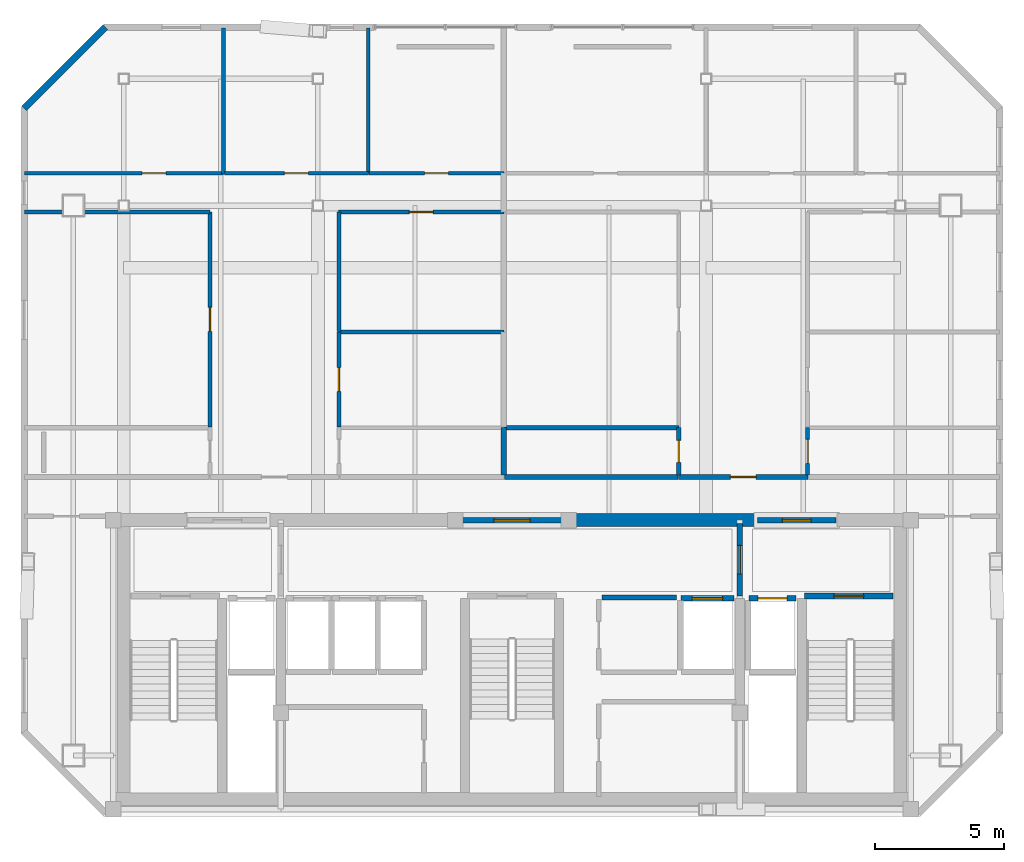
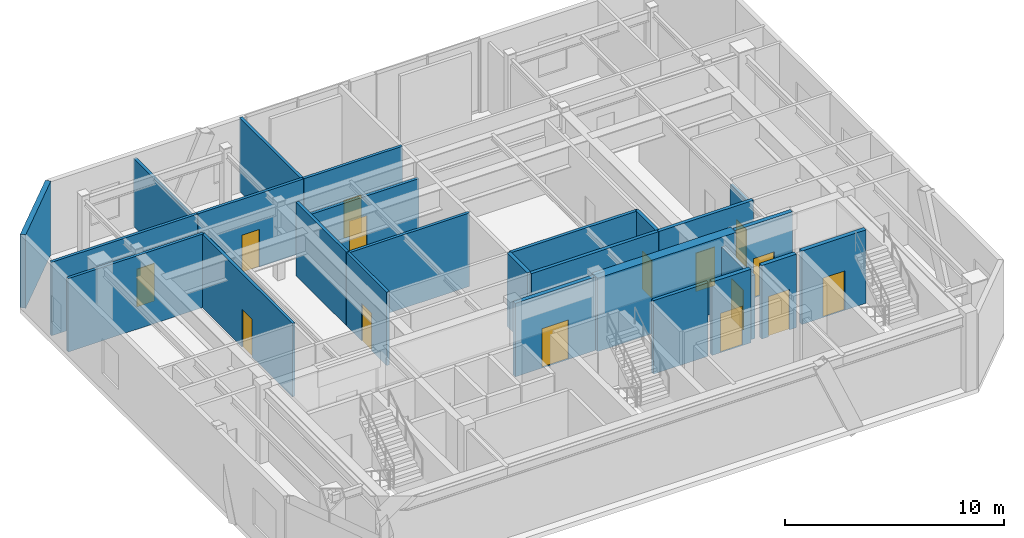
# One storey, part 7 of 10: 26 walls, 15 doors, 15 openings.
"""IFC4 building model written with IfcOpenShell, lengths in metres."""

from ifc_helpers import new_model, si_unit, direction, frame, frame_2d, origin, place, context, subcontext, project, spatial, rectangle, extrude, material, layer, layer_set, type_object, element, fill, save


model = new_model("IFC4")

# Units and contexts
model_context = context("Model", 3, precision=1e-05, world=origin(), true_north=direction((0.0, 1.0)))
body_context = subcontext(model_context, "Body", "Model", "MODEL_VIEW")
ifc_project = project(units=[si_unit("LENGTHUNIT", "METRE"), si_unit("AREAUNIT", "SQUARE_METRE"), si_unit("VOLUMEUNIT", "CUBIC_METRE"), si_unit("PLANEANGLEUNIT", "RADIAN"), si_unit("MASSUNIT", "GRAM", prefix="KILO")], contexts=[model_context])

# Site, building, storey
site_placement = place(None, origin())
site = spatial("IfcSite", under=ifc_project, at=site_placement, CompositionType="ELEMENT")
building_placement = place(site_placement, origin())
building = spatial("IfcBuilding", under=site, at=building_placement, Name="Ventersveld Concourse Tower", CompositionType="ELEMENT")
storey_placement = place(building_placement, frame((0.0, 0.0, 362.25)))
storey = spatial("IfcBuildingStorey", under=building, at=storey_placement, Name="L89", CompositionType="ELEMENT", Elevation=362.25)

# Walls
ifc_material_1 = material(Name="Concrete C50/60", Category="concrete")
ifc_layer_1 = layer(ifc_material_1, 0.5)
ifc_layer_set_1 = layer_set([ifc_layer_1], Name="Concrete C50/60")
wall_type_1 = type_object("IfcWallType", Name="WL-CORE-500", PredefinedType="SHEAR", material=ifc_layer_set_1)
wall_1_placement = place(storey_placement, frame((30.89990234375, 11.449951171875, 0.0), z_axis=(0.0, 0.0, 1.0), x_axis=(1.0, 0.0, 0.0)))
element("IfcWall", 1, at=wall_1_placement, inside=storey, type_object=wall_type_1, Name="L89 Rear Core North Shear Wall NMR", PredefinedType="SHEAR", context=body_context, shape_type="SweptSolid", body=[
    extrude(rectangle(XDim=7.300048828125, YDim=0.5, at=frame_2d((3.64990234375, 0.0))), origin(), (0.0, 0.0, 1.0), 4.10009765625),
])
ifc_material_2 = material(Name="Fire-rated autoclaved aerated masonry blockwork", Category="masonry")
ifc_layer_2 = layer(ifc_material_2, 0.179931640625)
ifc_layer_set_2 = layer_set([ifc_layer_2], Name="Fire-rated autoclaved aerated masonry blockwork")
wall_type_2 = type_object("IfcWallType", Name="WL-CORR-180", PredefinedType="PARTITIONING", material=ifc_layer_set_2)
wall_2_placement = place(storey_placement, frame((32.219970703125, 8.4599609375, 0.0), z_axis=(0.0, 0.0, 1.0), x_axis=(1.0, 0.0, 0.0)))
element("IfcWall", 2, at=wall_2_placement, inside=storey, type_object=wall_type_2, Name="L89 Core Top Wall SP-L89-CBAY1", PredefinedType="PARTITIONING", context=body_context, shape_type="SweptSolid", body=[
    extrude(rectangle(XDim=2.880126953125, YDim=0.179931640625, at=frame_2d((1.43994140625, 0.0))), origin(), (0.0, 0.0, 1.0), 4.10009765625),
])

# Wall, opening, door
wall_3_placement = place(storey_placement, frame((35.187255859375, 13.114990234375, 0.0), z_axis=(0.0, 0.0, 1.0), x_axis=(1.0, 0.0, 0.0)))
wall_3 = element("IfcWall", 3, at=wall_3_placement, inside=storey, type_object=wall_type_2, Name="L89 Interior Partition SP-L89-COR-SP-L89-89N2-LIV", PredefinedType="PARTITIONING", context=body_context, shape_type="SweptSolid", body=[
    extrude(rectangle(XDim=4.989990234375, YDim=0.179931640625, at=frame_2d((2.4951171875, 0.0))), origin(), (0.0, 0.0, 1.0), 4.10009765625),
])
opening_1_placement = place(wall_3_placement, frame((1.9951171875, 0.0, 0.0)))
opening_1 = element("IfcOpeningElement", 4, at=opening_1_placement, cuts=wall_3, Name="Opening FD3", PredefinedType="OPENING", context=body_context, shape_type="SweptSolid", body=[
    extrude(rectangle(XDim=1.0, YDim=2.14990234375, at=frame_2d((0.5, 1.074951171875))), frame((0.0, 0.10009765625, 0.0), z_axis=(0.0, -1.0, 0.0), x_axis=(1.0, 0.0, 0.0)), (0.0, 0.0, 1.0), 0.199951171875),
])
ifc_material_3 = material(Name="Solid-core hardwood veneer timber", Category="wood")
door_type_1 = type_object("IfcDoorType", Name="DR-FLAT-100", OperationType="NOTDEFINED", PredefinedType="DOOR", material=ifc_material_3)
door_1_placement = place(opening_1_placement, origin())
door_1 = element("IfcDoor", 5, at=door_1_placement, inside=storey, type_object=door_type_1, Name="L89 Interior Door SP-L89-COR to SP-L89-89N2-LIV (FD-L89-3942)", OperationType="SINGLE_SWING_RIGHT", OverallHeight=2.14990234375, OverallWidth=1.0, PredefinedType="DOOR", context=body_context, shape_type="SweptSolid", body=[
    extrude(rectangle(XDim=1.0, YDim=2.14990234375, at=frame_2d((0.5, 1.074951171875))), frame((0.0, 0.02490234375, 0.0), z_axis=(0.0, -1.0, 0.0), x_axis=(1.0, 0.0, 0.0)), (0.0, 0.0, 1.0), 0.050048828125),
])
fill(opening_1, door_1)

# Walls
wall_4_placement = place(storey_placement, frame((28.46435546875, 13.114990234375, 0.0), z_axis=(0.0, 0.0, 1.0), x_axis=(1.0, 0.0, 0.0)))
element("IfcWall", 6, at=wall_4_placement, inside=storey, type_object=wall_type_2, Name="L89 Interior Partition SP-L89-COR-SP-L89-89N2-BATH", PredefinedType="PARTITIONING", context=body_context, shape_type="SweptSolid", body=[
    extrude(rectangle(XDim=6.69287109375, YDim=0.179931640625, at=frame_2d((3.346435546875, 0.0))), origin(), (0.0, 0.0, 1.0), 4.10009765625),
])
ifc_layer_3 = layer(ifc_material_2, 0.199951171875)
ifc_layer_set_3 = layer_set([ifc_layer_3], Name="Fire-rated autoclaved aerated masonry blockwork")
wall_type_3 = type_object("IfcWallType", Name="WL-DEMISE-200", PredefinedType="PARTITIONING", material=ifc_layer_set_3)
wall_5_placement = place(storey_placement, frame((28.42919921875, 13.18505859375, 0.0), z_axis=(0.0, 0.0, 1.0), x_axis=(0.0, 1.0, 0.0)))
element("IfcWall", 7, at=wall_5_placement, inside=storey, type_object=wall_type_3, Name="L89 Interior Partition SP-L89-89N1-KIT-SP-L89-89N2-BATH", PredefinedType="PARTITIONING", context=body_context, shape_type="SweptSolid", body=[
    extrude(rectangle(XDim=1.83984375, YDim=0.199951171875, at=frame_2d((0.919921875, 0.0))), origin(), (0.0, 0.0, 1.0), 4.10009765625),
])

# Wall, opening, door
ifc_layer_4 = layer(ifc_material_2, 0.219970703125)
ifc_layer_set_4 = layer_set([ifc_layer_4], Name="Fire-rated autoclaved aerated masonry blockwork")
wall_type_4 = type_object("IfcWallType", Name="WL-HOIST-220", PredefinedType="SOLIDWALL", material=ifc_layer_set_4)
wall_6_placement = place(storey_placement, frame((37.89990234375, 8.429931640625, 0.0), z_axis=(0.0, 0.0, 1.0), x_axis=(1.0, 0.0, 0.0)))
wall_6 = element("IfcWall", 8, at=wall_6_placement, inside=storey, type_object=wall_type_4, Name="L89 Lift Hoistway Front Wall FFL-02", PredefinedType="SOLIDWALL", context=body_context, shape_type="SweptSolid", body=[
    extrude(rectangle(XDim=1.820068359375, YDim=0.219970703125, at=frame_2d((0.91015625, 0.0))), origin(), (0.0, 0.0, 1.0), 4.10009765625),
])
opening_2_placement = place(wall_6_placement, frame((0.35009765625, 0.0, 0.0)))
opening_2 = element("IfcOpeningElement", 9, at=opening_2_placement, cuts=wall_6, Name="Opening LD1", PredefinedType="OPENING", context=body_context, shape_type="SweptSolid", body=[
    extrude(rectangle(XDim=1.1201171875, YDim=2.25, at=frame_2d((0.56005859375, 1.125))), frame((0.0, 0.1201171875, 0.0), z_axis=(0.0, -1.0, 0.0), x_axis=(1.0, 0.0, 0.0)), (0.0, 0.0, 1.0), 0.239990234375),
])
ifc_material_4 = material(Name="Brushed stainless steel 316", Category="steel")
door_type_2 = type_object("IfcDoorType", Name="LD-FF-112", OperationType="SLIDING_TO_LEFT", PredefinedType="DOOR", material=ifc_material_4)
door_2_placement = place(opening_2_placement, origin())
door_2 = element("IfcDoor", 10, at=door_2_placement, inside=storey, type_object=door_type_2, Name="L89 Lift landing door FFL-02 (LD-L89-FFL-02)", OperationType="SLIDING_TO_LEFT", OverallHeight=2.25, OverallWidth=1.1201171875, PredefinedType="DOOR", context=body_context, shape_type="SweptSolid", body=[
    extrude(rectangle(XDim=1.1201171875, YDim=2.25, at=frame_2d((0.56005859375, 1.125))), frame((0.0, 0.02490234375, 0.0), z_axis=(0.0, -1.0, 0.0), x_axis=(1.0, 0.0, 0.0)), (0.0, 0.0, 1.0), 0.050048828125),
])
fill(opening_2, door_2)

wall_7_placement = place(storey_placement, frame((35.280029296875, 8.429931640625, 0.0), z_axis=(0.0, 0.0, 1.0), x_axis=(1.0, 0.0, 0.0)))
wall_7 = element("IfcWall", 11, at=wall_7_placement, inside=storey, type_object=wall_type_4, Name="L89 Lift Hoistway Front Wall SVL-01", PredefinedType="SOLIDWALL", context=body_context, shape_type="SweptSolid", body=[
    extrude(rectangle(XDim=2.0400390625, YDim=0.219970703125, at=frame_2d((1.02001953125, 0.0))), origin(), (0.0, 0.0, 1.0), 4.10009765625),
])
opening_3_placement = place(wall_7_placement, frame((0.429931640625, 0.0, 0.0)))
opening_3 = element("IfcOpeningElement", 12, at=opening_3_placement, cuts=wall_7, Name="Opening LD2", PredefinedType="OPENING", context=body_context, shape_type="SweptSolid", body=[
    extrude(rectangle(XDim=1.179931640625, YDim=2.199951171875, at=frame_2d((0.58984375, 1.10009765625))), frame((0.0, 0.1201171875, 0.0), z_axis=(0.0, -1.0, 0.0), x_axis=(1.0, 0.0, 0.0)), (0.0, 0.0, 1.0), 0.239990234375),
])
door_type_3 = type_object("IfcDoorType", Name="LD-PAX-118", OperationType="SLIDING_TO_LEFT", PredefinedType="DOOR", material=ifc_material_4)
door_3_placement = place(opening_3_placement, origin())
door_3 = element("IfcDoor", 13, at=door_3_placement, inside=storey, type_object=door_type_3, Name="L89 Lift landing door SVL-01 (LD-L89-SVL-01)", OperationType="SLIDING_TO_RIGHT", OverallHeight=2.199951171875, OverallWidth=1.179931640625, PredefinedType="DOOR", context=body_context, shape_type="SweptSolid", body=[
    extrude(rectangle(XDim=1.179931640625, YDim=2.199951171875, at=frame_2d((0.58984375, 1.10009765625))), frame((0.0, 0.02490234375, 0.0), z_axis=(0.0, -1.0, 0.0), x_axis=(1.0, 0.0, 0.0)), (0.0, 0.0, 1.0), 0.050048828125),
])
fill(opening_3, door_3)

wall_8_placement = place(storey_placement, frame((40.06005859375, 8.52001953125, 0.0), z_axis=(0.0, 0.0, 1.0), x_axis=(1.0, 0.0, 0.0)))
wall_8 = element("IfcWall", 14, at=wall_8_placement, inside=storey, type_object=wall_type_4, Name="L89 Escape Stair ST02 Fire Wall", PredefinedType="SOLIDWALL", context=body_context, shape_type="SweptSolid", body=[
    extrude(rectangle(XDim=3.39990234375, YDim=0.219970703125, at=frame_2d((1.699951171875, 0.0))), origin(), (0.0, 0.0, 1.0), 4.10009765625),
])
opening_4_placement = place(wall_8_placement, frame((1.125, 0.0, 0.0)))
opening_4 = element("IfcOpeningElement", 15, at=opening_4_placement, cuts=wall_8, Name="Opening FD1", PredefinedType="OPENING", context=body_context, shape_type="SweptSolid", body=[
    extrude(rectangle(XDim=1.14990234375, YDim=2.199951171875, at=frame_2d((0.574951171875, 1.10009765625))), frame((0.0, 0.1201171875, 0.0), z_axis=(0.0, -1.0, 0.0), x_axis=(1.0, 0.0, 0.0)), (0.0, 0.0, 1.0), 0.239990234375),
])
ifc_material_5 = material(Name="Galvanised painted steel", Category="steel")
door_type_4 = type_object("IfcDoorType", Name="DR-STAIR-115", OperationType="NOTDEFINED", PredefinedType="DOOR", material=ifc_material_5)
door_4_placement = place(opening_4_placement, origin())
door_4 = element("IfcDoor", 16, at=door_4_placement, inside=storey, type_object=door_type_4, Name="L89 Escape Stair Door ST02 (SD-L89-3929)", OperationType="SINGLE_SWING_RIGHT", OverallHeight=2.199951171875, OverallWidth=1.14990234375, PredefinedType="DOOR", context=body_context, shape_type="SweptSolid", body=[
    extrude(rectangle(XDim=1.14990234375, YDim=2.199951171875, at=frame_2d((0.574951171875, 1.10009765625))), frame((0.0, 0.02490234375, 0.0), z_axis=(0.0, -1.0, 0.0), x_axis=(1.0, 0.0, 0.0)), (0.0, 0.0, 1.0), 0.050048828125),
])
fill(opening_4, door_4)

wall_9_placement = place(storey_placement, frame((37.550048828125, 8.52001953125, 0.0), z_axis=(0.0, 0.0, 1.0), x_axis=(0.0, 1.0, 0.0)))
wall_9 = element("IfcWall", 17, at=wall_9_placement, inside=storey, type_object=wall_type_4, Name="L89 Firefighting Lobby Smoke-Stop Wall FFLE-SEP", PredefinedType="SOLIDWALL", context=body_context, shape_type="SweptSolid", body=[
    extrude(rectangle(XDim=2.800048828125, YDim=0.219970703125, at=frame_2d((1.39990234375, 0.0))), origin(), (0.0, 0.0, 1.0), 3.555419921875),
])
opening_5_placement = place(wall_9_placement, frame((0.85009765625, 0.0, 0.0)))
opening_5 = element("IfcOpeningElement", 18, at=opening_5_placement, cuts=wall_9, Name="Opening FD2", PredefinedType="OPENING", context=body_context, shape_type="SweptSolid", body=[
    extrude(rectangle(XDim=1.10009765625, YDim=2.199951171875, at=frame_2d((0.550048828125, 1.10009765625))), frame((0.0, 0.1201171875, 0.0), z_axis=(0.0, -1.0, 0.0), x_axis=(1.0, 0.0, 0.0)), (0.0, 0.0, 1.0), 0.239990234375),
])
door_type_5 = type_object("IfcDoorType", Name="DR-FFL-110", OperationType="NOTDEFINED", PredefinedType="DOOR", material=ifc_material_5)
door_5_placement = place(opening_5_placement, origin())
door_5 = element("IfcDoor", 19, at=door_5_placement, inside=storey, type_object=door_type_5, Name="L89 Firefighting Lobby Door FFLE-SEP (FD-L89-3932)", OperationType="SINGLE_SWING_RIGHT", OverallHeight=2.199951171875, OverallWidth=1.10009765625, PredefinedType="DOOR", context=body_context, shape_type="SweptSolid", body=[
    extrude(rectangle(XDim=1.10009765625, YDim=2.199951171875, at=frame_2d((0.550048828125, 1.10009765625))), frame((0.0, 0.02490234375, 0.0), z_axis=(0.0, -1.0, 0.0), x_axis=(1.0, 0.0, 0.0)), (0.0, 0.0, 1.0), 0.050048828125),
])
fill(opening_5, door_5)

wall_10_placement = place(storey_placement, frame((26.6298828125, 11.449951171875, 0.0), z_axis=(0.0, 0.0, 1.0), x_axis=(1.0, 0.0, 0.0)))
wall_10 = element("IfcWall", 20, at=wall_10_placement, inside=storey, type_object=wall_type_4, Name="L89 Core North Fire Portal PLOB-OUT", PredefinedType="SOLIDWALL", context=body_context, shape_type="SweptSolid", body=[
    extrude(rectangle(XDim=4.240234375, YDim=0.219970703125, at=frame_2d((2.1201171875, 0.0))), origin(), (0.0, 0.0, 1.0), 4.10009765625),
])
opening_6_placement = place(wall_10_placement, frame((1.419921875, 0.0, 0.0)))
opening_6 = element("IfcOpeningElement", 21, at=opening_6_placement, cuts=wall_10, Name="Opening FD4", PredefinedType="OPENING", context=body_context, shape_type="SweptSolid", body=[
    extrude(rectangle(XDim=1.39990234375, YDim=2.199951171875, at=frame_2d((0.699951171875, 1.10009765625))), frame((0.0, 0.1201171875, 0.0), z_axis=(0.0, -1.0, 0.0), x_axis=(1.0, 0.0, 0.0)), (0.0, 0.0, 1.0), 0.239990234375),
])
door_type_6 = type_object("IfcDoorType", Name="DR-PLANT-140", OperationType="DOUBLE_DOOR_SINGLE_SWING", PredefinedType="DOOR", material=ifc_material_5)
door_6_placement = place(opening_6_placement, origin())
door_6 = element("IfcDoor", 22, at=door_6_placement, inside=storey, type_object=door_type_6, Name="L89 Core Lobby Fire Door PLOB-OUT (FD-L89-3934)", OperationType="DOUBLE_DOOR_SINGLE_SWING", OverallHeight=2.199951171875, OverallWidth=1.39990234375, PredefinedType="DOOR", context=body_context, shape_type="SweptSolid", body=[
    extrude(rectangle(XDim=1.39990234375, YDim=2.199951171875, at=frame_2d((0.699951171875, 1.10009765625))), frame((0.0, 0.02490234375, 0.0), z_axis=(0.0, -1.0, 0.0), x_axis=(1.0, 0.0, 0.0)), (0.0, 0.0, 1.0), 0.050048828125),
])
fill(opening_6, door_6)

wall_11_placement = place(storey_placement, frame((38.22998046875, 11.449951171875, 0.0), z_axis=(0.0, 0.0, 1.0), x_axis=(1.0, 0.0, 0.0)))
wall_11 = element("IfcWall", 23, at=wall_11_placement, inside=storey, type_object=wall_type_4, Name="L89 Core North Fire Portal FFLE-OUT", PredefinedType="SOLIDWALL", context=body_context, shape_type="SweptSolid", body=[
    extrude(rectangle(XDim=3.0400390625, YDim=0.219970703125, at=frame_2d((1.52001953125, 0.0))), origin(), (0.0, 0.0, 1.0), 4.10009765625),
])
opening_7_placement = place(wall_11_placement, frame((0.969970703125, 0.0, 0.0)))
opening_7 = element("IfcOpeningElement", 24, at=opening_7_placement, cuts=wall_11, Name="Opening FD2", PredefinedType="OPENING", context=body_context, shape_type="SweptSolid", body=[
    extrude(rectangle(XDim=1.10009765625, YDim=2.199951171875, at=frame_2d((0.550048828125, 1.10009765625))), frame((0.0, 0.1201171875, 0.0), z_axis=(0.0, -1.0, 0.0), x_axis=(1.0, 0.0, 0.0)), (0.0, 0.0, 1.0), 0.239990234375),
])
door_7_placement = place(opening_7_placement, origin())
door_7 = element("IfcDoor", 25, at=door_7_placement, inside=storey, type_object=door_type_5, Name="L89 Core Lobby Fire Door FFLE-OUT (FD-L89-3935)", OperationType="SINGLE_SWING_LEFT", OverallHeight=2.199951171875, OverallWidth=1.10009765625, PredefinedType="DOOR", context=body_context, shape_type="SweptSolid", body=[
    extrude(rectangle(XDim=1.10009765625, YDim=2.199951171875, at=frame_2d((0.550048828125, 1.10009765625))), frame((0.0, 0.02490234375, 0.0), z_axis=(0.0, -1.0, 0.0), x_axis=(1.0, 0.0, 0.0)), (0.0, 0.0, 1.0), 0.050048828125),
])
fill(opening_7, door_7)

ifc_material_6 = material(Name="Autoclaved aerated masonry blockwork", Category="masonry")
ifc_layer_5 = layer(ifc_material_6, 0.14990234375)
ifc_layer_set_5 = layer_set([ifc_layer_5], Name="Autoclaved aerated masonry blockwork")
wall_type_5 = type_object("IfcWallType", Name="WL-INT-150", PredefinedType="PARTITIONING", material=ifc_layer_set_5)
wall_12_placement = place(storey_placement, frame((17.080810546875, 15.054931640625, 0.0), z_axis=(0.0, 0.0, 1.0), x_axis=(0.0, 1.0, 0.0)))
wall_12 = element("IfcWall", 26, at=wall_12_placement, inside=storey, type_object=wall_type_5, Name="L89 Interior Partition SP-L89-89N1-LIV-SP-L89-89N1-SEML0", PredefinedType="PARTITIONING", context=body_context, shape_type="SweptSolid", body=[
    extrude(rectangle(XDim=8.300048828125, YDim=0.14990234375, at=frame_2d((4.14990234375, 0.0))), origin(), (0.0, 0.0, 1.0), 4.10009765625),
])
opening_8_placement = place(wall_12_placement, frame((3.68994140625, 0.0, 0.0)))
opening_8 = element("IfcOpeningElement", 27, at=opening_8_placement, cuts=wall_12, Name="Opening ID1", PredefinedType="OPENING", context=body_context, shape_type="SweptSolid", body=[
    extrude(rectangle(XDim=0.919921875, YDim=2.10009765625, at=frame_2d((0.4599609375, 1.050048828125))), frame((0.0, 0.0849609375, 0.0), z_axis=(0.0, -1.0, 0.0), x_axis=(1.0, 0.0, 0.0)), (0.0, 0.0, 1.0), 0.169921875),
])
door_type_7 = type_object("IfcDoorType", Name="DR-ROOM-092", OperationType="NOTDEFINED", PredefinedType="DOOR", material=ifc_material_3)
door_8_placement = place(opening_8_placement, origin())
door_8 = element("IfcDoor", 28, at=door_8_placement, inside=storey, type_object=door_type_7, Name="L89 Interior Door SP-L89-89N1-LIV to SP-L89-89N1-SEML0 (D-L89-3944)", OperationType="SINGLE_SWING_RIGHT", OverallHeight=2.10009765625, OverallWidth=0.919921875, PredefinedType="DOOR", context=body_context, shape_type="SweptSolid", body=[
    extrude(rectangle(XDim=0.919921875, YDim=2.10009765625, at=frame_2d((0.4599609375, 1.050048828125))), frame((0.0, 0.02490234375, 0.0), z_axis=(0.0, -1.0, 0.0), x_axis=(1.0, 0.0, 0.0)), (0.0, 0.0, 1.0), 0.050048828125),
])
fill(opening_8, door_8)

# Wall
wall_13_placement = place(storey_placement, frame((9.924560546875, 23.35009765625, 0.0), z_axis=(0.0, 0.0, 1.0), x_axis=(1.0, 0.0, 0.0)))
element("IfcWall", 29, at=wall_13_placement, inside=storey, type_object=wall_type_5, Name="L89 Interior Partition SP-L89-89N1-LIV-SP-L89-89N1-SEML0", PredefinedType="PARTITIONING", context=body_context, shape_type="SweptSolid", body=[
    extrude(rectangle(XDim=7.1611328125, YDim=0.14990234375, at=frame_2d((3.58056640625, 0.0))), origin(), (0.0, 0.0, 1.0), 4.10009765625),
])

# Wall, opening, door
wall_14_placement = place(storey_placement, frame((22.060791015625, 15.054931640625, 0.0), z_axis=(0.0, 0.0, 1.0), x_axis=(0.0, 1.0, 0.0)))
wall_14 = element("IfcWall", 30, at=wall_14_placement, inside=storey, type_object=wall_type_5, Name="L89 Interior Partition SP-L89-89N1-LIV-SP-L89-89N1-DENR", PredefinedType="PARTITIONING", context=body_context, shape_type="SweptSolid", body=[
    extrude(rectangle(XDim=3.661865234375, YDim=0.14990234375, at=frame_2d((1.8310546875, 0.0))), origin(), (0.0, 0.0, 1.0), 4.10009765625),
])
opening_9_placement = place(wall_14_placement, frame((1.370849609375, 0.0, 0.0)))
opening_9 = element("IfcOpeningElement", 31, at=opening_9_placement, cuts=wall_14, Name="Opening ID1", PredefinedType="OPENING", context=body_context, shape_type="SweptSolid", body=[
    extrude(rectangle(XDim=0.919921875, YDim=2.10009765625, at=frame_2d((0.4599609375, 1.050048828125))), frame((0.0, 0.0849609375, 0.0), z_axis=(0.0, -1.0, 0.0), x_axis=(1.0, 0.0, 0.0)), (0.0, 0.0, 1.0), 0.169921875),
])
door_9_placement = place(opening_9_placement, origin())
door_9 = element("IfcDoor", 32, at=door_9_placement, inside=storey, type_object=door_type_7, Name="L89 Interior Door SP-L89-89N1-LIV to SP-L89-89N1-DENR (D-L89-3946)", OperationType="SINGLE_SWING_RIGHT", OverallHeight=2.10009765625, OverallWidth=0.919921875, PredefinedType="DOOR", context=body_context, shape_type="SweptSolid", body=[
    extrude(rectangle(XDim=0.919921875, YDim=2.10009765625, at=frame_2d((0.4599609375, 1.050048828125))), frame((0.0, 0.02490234375, 0.0), z_axis=(0.0, -1.0, 0.0), x_axis=(1.0, 0.0, 0.0)), (0.0, 0.0, 1.0), 0.050048828125),
])
fill(opening_9, door_9)

wall_15_placement = place(storey_placement, frame((22.0556640625, 23.35009765625, 0.0), z_axis=(0.0, 0.0, 1.0), x_axis=(1.0, 0.0, 0.0)))
wall_15 = element("IfcWall", 33, at=wall_15_placement, inside=storey, type_object=wall_type_5, Name="L89 Interior Partition SP-L89-89N1-LIV-SP-L89-89N1-DENS", PredefinedType="PARTITIONING", context=body_context, shape_type="SweptSolid", body=[
    extrude(rectangle(XDim=6.378662109375, YDim=0.14990234375, at=frame_2d((3.189453125, 0.0))), origin(), (0.0, 0.0, 1.0), 3.199951171875),
])
opening_10_placement = place(wall_15_placement, frame((2.729248046875, 0.0, 0.0)))
opening_10 = element("IfcOpeningElement", 34, at=opening_10_placement, cuts=wall_15, Name="Opening ID1", PredefinedType="OPENING", context=body_context, shape_type="SweptSolid", body=[
    extrude(rectangle(XDim=0.919921875, YDim=2.10009765625, at=frame_2d((0.4599609375, 1.050048828125))), frame((0.0, 0.0849609375, 0.0), z_axis=(0.0, -1.0, 0.0), x_axis=(1.0, 0.0, 0.0)), (0.0, 0.0, 1.0), 0.169921875),
])
door_10_placement = place(opening_10_placement, origin())
door_10 = element("IfcDoor", 35, at=door_10_placement, inside=storey, type_object=door_type_7, Name="L89 Interior Door SP-L89-89N1-LIV to SP-L89-89N1-DENS (D-L89-3947)", OperationType="SINGLE_SWING_LEFT", OverallHeight=2.10009765625, OverallWidth=0.919921875, PredefinedType="DOOR", context=body_context, shape_type="SweptSolid", body=[
    extrude(rectangle(XDim=0.919921875, YDim=2.10009765625, at=frame_2d((0.4599609375, 1.050048828125))), frame((0.0, 0.02490234375, 0.0), z_axis=(0.0, -1.0, 0.0), x_axis=(1.0, 0.0, 0.0)), (0.0, 0.0, 1.0), 0.050048828125),
])
fill(opening_10, door_10)

# Wall
wall_16_placement = place(storey_placement, frame((22.060791015625, 18.74658203125, 0.0), z_axis=(0.0, 0.0, 1.0), x_axis=(0.0, 1.0, 0.0)))
element("IfcWall", 36, at=wall_16_placement, inside=storey, type_object=wall_type_5, Name="L89 Interior Partition SP-L89-89N1-LIV-SP-L89-89N1-DENS", PredefinedType="PARTITIONING", context=body_context, shape_type="SweptSolid", body=[
    extrude(rectangle(XDim=4.6083984375, YDim=0.14990234375, at=frame_2d((2.30419921875, 0.0))), origin(), (0.0, 0.0, 1.0), 4.10009765625),
])

# Wall, opening, door
wall_17_placement = place(storey_placement, frame((9.924560546875, 24.85009765625, 0.0), z_axis=(0.0, 0.0, 1.0), x_axis=(1.0, 0.0, 0.0)))
wall_17 = element("IfcWall", 37, at=wall_17_placement, inside=storey, type_object=wall_type_5, Name="L89 Interior Partition SP-L89-89N1-LIV-SP-L89-89N1-BR1", PredefinedType="PARTITIONING", context=body_context, shape_type="SweptSolid", body=[
    extrude(rectangle(XDim=7.682861328125, YDim=0.14990234375, at=frame_2d((3.84130859375, 0.0))), origin(), (0.0, 0.0, 1.0), 4.10009765625),
])
opening_11_placement = place(wall_17_placement, frame((4.533935546875, 0.0, 0.0)))
opening_11 = element("IfcOpeningElement", 38, at=opening_11_placement, cuts=wall_17, Name="Opening ID1", PredefinedType="OPENING", context=body_context, shape_type="SweptSolid", body=[
    extrude(rectangle(XDim=0.919921875, YDim=2.10009765625, at=frame_2d((0.4599609375, 1.050048828125))), frame((0.0, 0.0849609375, 0.0), z_axis=(0.0, -1.0, 0.0), x_axis=(1.0, 0.0, 0.0)), (0.0, 0.0, 1.0), 0.169921875),
])
door_11_placement = place(opening_11_placement, origin())
door_11 = element("IfcDoor", 39, at=door_11_placement, inside=storey, type_object=door_type_7, Name="L89 Interior Door SP-L89-89N1-LIV to SP-L89-89N1-BR1 (D-L89-3948)", OperationType="SINGLE_SWING_RIGHT", OverallHeight=2.10009765625, OverallWidth=0.919921875, PredefinedType="DOOR", context=body_context, shape_type="SweptSolid", body=[
    extrude(rectangle(XDim=0.919921875, YDim=2.10009765625, at=frame_2d((0.4599609375, 1.050048828125))), frame((0.0, 0.02490234375, 0.0), z_axis=(0.0, -1.0, 0.0), x_axis=(1.0, 0.0, 0.0)), (0.0, 0.0, 1.0), 0.050048828125),
])
fill(opening_11, door_11)

wall_18_placement = place(storey_placement, frame((17.637451171875, 24.85009765625, 0.0), z_axis=(0.0, 0.0, 1.0), x_axis=(1.0, 0.0, 0.0)))
wall_18 = element("IfcWall", 40, at=wall_18_placement, inside=storey, type_object=wall_type_5, Name="L89 Interior Partition SP-L89-89N1-LIV-SP-L89-89N1-BR2", PredefinedType="PARTITIONING", context=body_context, shape_type="SweptSolid", body=[
    extrude(rectangle(XDim=5.56396484375, YDim=0.14990234375, at=frame_2d((2.781982421875, 0.0))), origin(), (0.0, 0.0, 1.0), 4.10009765625),
])
opening_12_placement = place(wall_18_placement, frame((2.322021484375, 0.0, 0.0)))
opening_12 = element("IfcOpeningElement", 41, at=opening_12_placement, cuts=wall_18, Name="Opening ID1", PredefinedType="OPENING", context=body_context, shape_type="SweptSolid", body=[
    extrude(rectangle(XDim=0.919921875, YDim=2.10009765625, at=frame_2d((0.4599609375, 1.050048828125))), frame((0.0, 0.0849609375, 0.0), z_axis=(0.0, -1.0, 0.0), x_axis=(1.0, 0.0, 0.0)), (0.0, 0.0, 1.0), 0.169921875),
])
door_12_placement = place(opening_12_placement, origin())
door_12 = element("IfcDoor", 42, at=door_12_placement, inside=storey, type_object=door_type_7, Name="L89 Interior Door SP-L89-89N1-LIV to SP-L89-89N1-BR2 (D-L89-3949)", OperationType="SINGLE_SWING_LEFT", OverallHeight=2.10009765625, OverallWidth=0.919921875, PredefinedType="DOOR", context=body_context, shape_type="SweptSolid", body=[
    extrude(rectangle(XDim=0.919921875, YDim=2.10009765625, at=frame_2d((0.4599609375, 1.050048828125))), frame((0.0, 0.02490234375, 0.0), z_axis=(0.0, -1.0, 0.0), x_axis=(1.0, 0.0, 0.0)), (0.0, 0.0, 1.0), 0.050048828125),
])
fill(opening_12, door_12)

wall_19_placement = place(storey_placement, frame((23.231201171875, 24.85009765625, 0.0), z_axis=(0.0, 0.0, 1.0), x_axis=(1.0, 0.0, 0.0)))
wall_19 = element("IfcWall", 43, at=wall_19_placement, inside=storey, type_object=wall_type_5, Name="L89 Interior Partition SP-L89-89N1-LIV-SP-L89-89N1-BR3", PredefinedType="PARTITIONING", context=body_context, shape_type="SweptSolid", body=[
    extrude(rectangle(XDim=5.203125, YDim=0.14990234375, at=frame_2d((2.6015625, 0.0))), origin(), (0.0, 0.0, 1.0), 4.10009765625),
])
opening_13_placement = place(wall_19_placement, frame((2.1416015625, 0.0, 0.0)))
opening_13 = element("IfcOpeningElement", 44, at=opening_13_placement, cuts=wall_19, Name="Opening ID1", PredefinedType="OPENING", context=body_context, shape_type="SweptSolid", body=[
    extrude(rectangle(XDim=0.919921875, YDim=2.10009765625, at=frame_2d((0.4599609375, 1.050048828125))), frame((0.0, 0.0849609375, 0.0), z_axis=(0.0, -1.0, 0.0), x_axis=(1.0, 0.0, 0.0)), (0.0, 0.0, 1.0), 0.169921875),
])
door_13_placement = place(opening_13_placement, origin())
door_13 = element("IfcDoor", 45, at=door_13_placement, inside=storey, type_object=door_type_7, Name="L89 Interior Door SP-L89-89N1-LIV to SP-L89-89N1-BR3 (D-L89-3950)", OperationType="SINGLE_SWING_RIGHT", OverallHeight=2.10009765625, OverallWidth=0.919921875, PredefinedType="DOOR", context=body_context, shape_type="SweptSolid", body=[
    extrude(rectangle(XDim=0.919921875, YDim=2.10009765625, at=frame_2d((0.4599609375, 1.050048828125))), frame((0.0, 0.02490234375, 0.0), z_axis=(0.0, -1.0, 0.0), x_axis=(1.0, 0.0, 0.0)), (0.0, 0.0, 1.0), 0.050048828125),
])
fill(opening_13, door_13)

# Walls
wall_20_placement = place(storey_placement, frame((22.0556640625, 18.711669921875, 0.0), z_axis=(0.0, 0.0, 1.0), x_axis=(1.0, 0.0, 0.0)))
element("IfcWall", 46, at=wall_20_placement, inside=storey, type_object=wall_type_5, Name="L89 Interior Partition SP-L89-89N1-DENR-SP-L89-89N1-DENS", PredefinedType="PARTITIONING", context=body_context, shape_type="SweptSolid", body=[
    extrude(rectangle(XDim=6.378662109375, YDim=0.14990234375, at=frame_2d((3.189453125, 0.0))), origin(), (0.0, 0.0, 1.0), 4.10009765625),
])
wall_21_placement = place(storey_placement, frame((17.6025390625, 24.844970703125, 0.0), z_axis=(0.0, 0.0, 1.0), x_axis=(0.0, 1.0, 0.0)))
element("IfcWall", 47, at=wall_21_placement, inside=storey, type_object=wall_type_5, Name="L89 Interior Partition SP-L89-89N1-BR1-SP-L89-89N1-BR2", PredefinedType="PARTITIONING", context=body_context, shape_type="SweptSolid", body=[
    extrude(rectangle(XDim=5.62548828125, YDim=0.14990234375, at=frame_2d((2.812744140625, 0.0))), origin(), (0.0, 0.0, 1.0), 3.796630859375),
])
wall_22_placement = place(storey_placement, frame((23.1962890625, 24.844970703125, 0.0), z_axis=(0.0, 0.0, 1.0), x_axis=(0.0, 1.0, 0.0)))
element("IfcWall", 48, at=wall_22_placement, inside=storey, type_object=wall_type_5, Name="L89 Interior Partition SP-L89-89N1-BR2-SP-L89-89N1-BR3", PredefinedType="PARTITIONING", context=body_context, shape_type="SweptSolid", body=[
    extrude(rectangle(XDim=5.62548828125, YDim=0.14990234375, at=frame_2d((2.812744140625, 0.0))), origin(), (0.0, 0.0, 1.0), 4.10009765625),
])

# Wall, opening, door
wall_23_placement = place(storey_placement, frame((40.172119140625, 13.18505859375, 0.0), z_axis=(0.0, 0.0, 1.0), x_axis=(0.0, 1.0, 0.0)))
wall_23 = element("IfcWall", 49, at=wall_23_placement, inside=storey, type_object=wall_type_5, Name="L89 Interior Partition SP-L89-89N2-LIV-SP-L89-89N2-KIT", PredefinedType="PARTITIONING", context=body_context, shape_type="SweptSolid", body=[
    extrude(rectangle(XDim=1.83984375, YDim=0.14990234375, at=frame_2d((0.919921875, 0.0))), origin(), (0.0, 0.0, 1.0), 3.796630859375),
])
opening_14_placement = place(wall_23_placement, frame((0.4599609375, 0.0, 0.0)))
opening_14 = element("IfcOpeningElement", 50, at=opening_14_placement, cuts=wall_23, Name="Opening ID1", PredefinedType="OPENING", context=body_context, shape_type="SweptSolid", body=[
    extrude(rectangle(XDim=0.919921875, YDim=2.10009765625, at=frame_2d((0.4599609375, 1.050048828125))), frame((0.0, 0.0849609375, 0.0), z_axis=(0.0, -1.0, 0.0), x_axis=(1.0, 0.0, 0.0)), (0.0, 0.0, 1.0), 0.169921875),
])
door_14_placement = place(opening_14_placement, origin())
door_14 = element("IfcDoor", 51, at=door_14_placement, inside=storey, type_object=door_type_7, Name="L89 Interior Door SP-L89-89N2-LIV to SP-L89-89N2-KIT (D-L89-3953)", OperationType="SINGLE_SWING_LEFT", OverallHeight=2.10009765625, OverallWidth=0.919921875, PredefinedType="DOOR", context=body_context, shape_type="SweptSolid", body=[
    extrude(rectangle(XDim=0.919921875, YDim=2.10009765625, at=frame_2d((0.4599609375, 1.050048828125))), frame((0.0, 0.02490234375, 0.0), z_axis=(0.0, -1.0, 0.0), x_axis=(1.0, 0.0, 0.0)), (0.0, 0.0, 1.0), 0.050048828125),
])
fill(opening_14, door_14)

# Wall
ifc_material_7 = material(Name="Precast concrete C45/55", Category="concrete")
ifc_layer_6 = layer(ifc_material_7, 0.260009765625)
ifc_layer_set_6 = layer_set([ifc_layer_6], Name="Precast concrete C45/55")
wall_type_6 = type_object("IfcWallType", Name="WL-PREC-260", PredefinedType="SOLIDWALL", material=ifc_layer_set_6)
wall_24_placement = place(storey_placement, frame((13.03857421875, 30.499755859375, 0.0), z_axis=(0.0, 0.0, 1.0), x_axis=(-0.707106781187, -0.707106781187, 0.0)))
element("IfcWall", 52, at=wall_24_placement, inside=storey, type_object=wall_type_6, Name="L89 Highveld Precast Facade Wall E06", PredefinedType="SOLIDWALL", context=body_context, shape_type="SweptSolid", body=[
    extrude(rectangle(XDim=4.4453125, YDim=0.260009765625, at=frame_2d((2.22265625, 0.0))), origin(), (0.0, 0.0, 1.0), 4.10009765625),
])

# Wall, opening, door
ifc_layer_7 = layer(ifc_material_6, 0.1650390625)
ifc_layer_set_7 = layer_set([ifc_layer_7], Name="Autoclaved aerated masonry blockwork")
wall_type_7 = type_object("IfcWallType", Name="WL-WET-165", PredefinedType="PLUMBINGWALL", material=ifc_layer_set_7)
wall_25_placement = place(storey_placement, frame((35.192138671875, 13.18505859375, 0.0), z_axis=(0.0, 0.0, 1.0), x_axis=(0.0, 1.0, 0.0)))
wall_25 = element("IfcWall", 53, at=wall_25_placement, inside=storey, type_object=wall_type_7, Name="L89 Interior Partition SP-L89-89N2-LIV-SP-L89-89N2-BATH", PredefinedType="PLUMBINGWALL", context=body_context, shape_type="SweptSolid", body=[
    extrude(rectangle(XDim=1.83984375, YDim=0.1650390625, at=frame_2d((0.919921875, 0.0))), origin(), (0.0, 0.0, 1.0), 4.10009765625),
])
opening_15_placement = place(wall_25_placement, frame((0.4951171875, 0.0, 0.0)))
opening_15 = element("IfcOpeningElement", 54, at=opening_15_placement, cuts=wall_25, Name="Opening ID2", PredefinedType="OPENING", context=body_context, shape_type="SweptSolid", body=[
    extrude(rectangle(XDim=0.85009765625, YDim=2.10009765625, at=frame_2d((0.425048828125, 1.050048828125))), frame((0.0, 0.092529296875, 0.0), z_axis=(0.0, -1.0, 0.0), x_axis=(1.0, 0.0, 0.0)), (0.0, 0.0, 1.0), 0.18505859375),
])
door_type_8 = type_object("IfcDoorType", Name="DR-BATH-085", OperationType="NOTDEFINED", PredefinedType="DOOR", material=ifc_material_3)
door_15_placement = place(opening_15_placement, origin())
door_15 = element("IfcDoor", 55, at=door_15_placement, inside=storey, type_object=door_type_8, Name="L89 Interior Door SP-L89-89N2-LIV to SP-L89-89N2-BATH (D-L89-3951)", OperationType="SINGLE_SWING_LEFT", OverallHeight=2.10009765625, OverallWidth=0.85009765625, PredefinedType="DOOR", context=body_context, shape_type="SweptSolid", body=[
    extrude(rectangle(XDim=0.85009765625, YDim=2.10009765625, at=frame_2d((0.425048828125, 1.050048828125))), frame((0.0, 0.02490234375, 0.0), z_axis=(0.0, -1.0, 0.0), x_axis=(1.0, 0.0, 0.0)), (0.0, 0.0, 1.0), 0.050048828125),
])
fill(opening_15, door_15)

# Wall
wall_26_placement = place(storey_placement, frame((28.46435546875, 15.02001953125, 0.0), z_axis=(0.0, 0.0, 1.0), x_axis=(1.0, 0.0, 0.0)))
element("IfcWall", 56, at=wall_26_placement, inside=storey, type_object=wall_type_7, Name="L89 Interior Partition SP-L89-89N2-BATH-SP-L89-89N2-SEML0", PredefinedType="PLUMBINGWALL", context=body_context, shape_type="SweptSolid", body=[
    extrude(rectangle(XDim=6.73291015625, YDim=0.1650390625, at=frame_2d((3.366455078125, 0.0))), origin(), (0.0, 0.0, 1.0), 4.10009765625),
])

save(model, "model.ifc")
